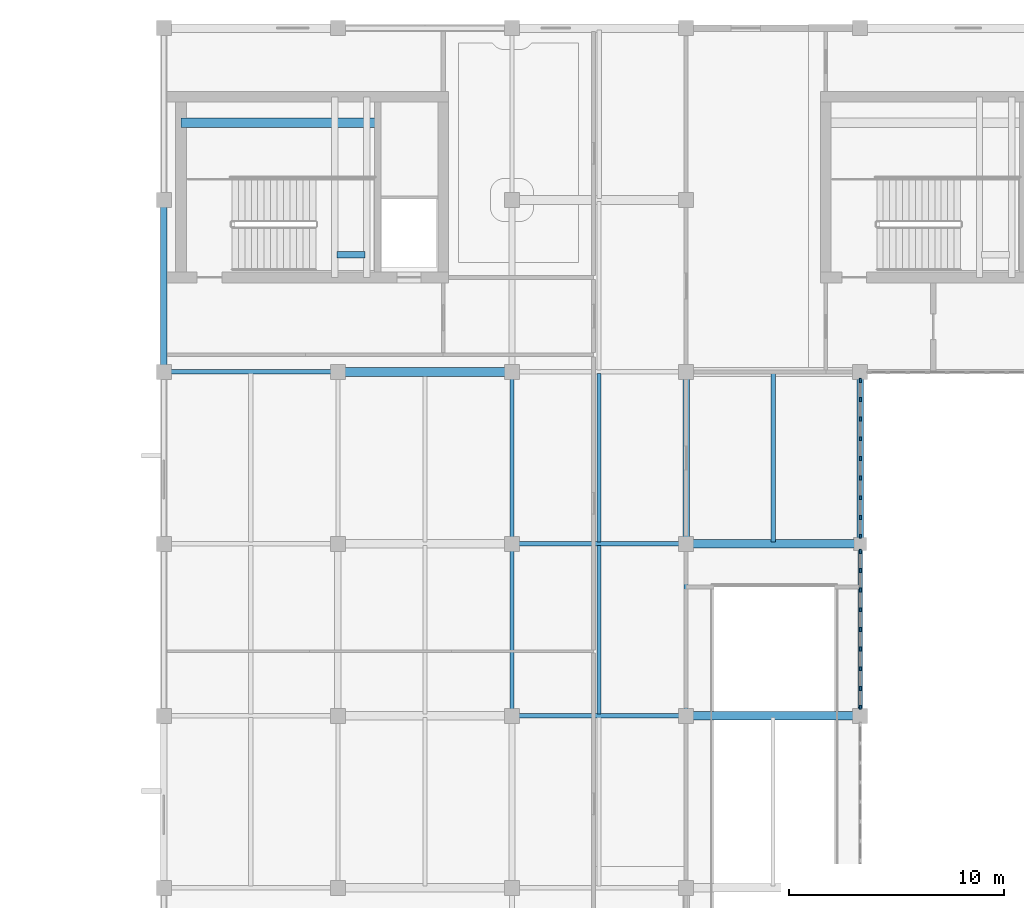
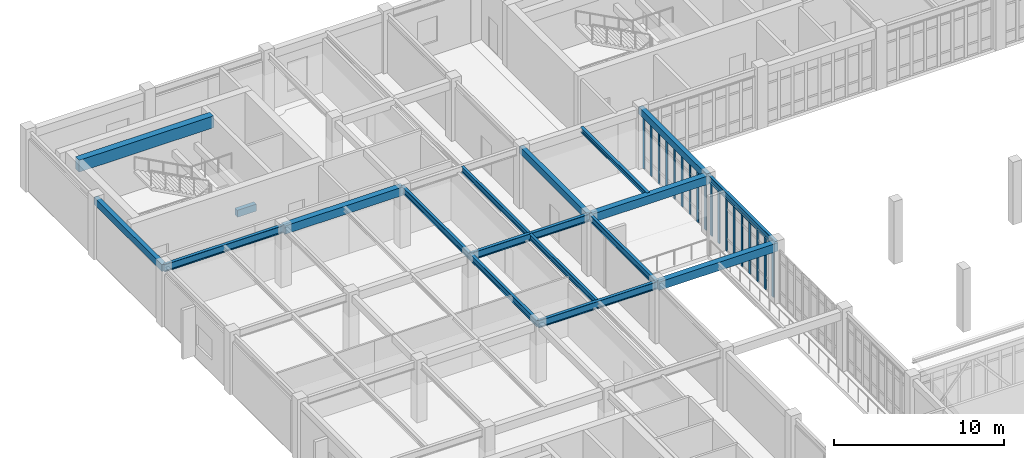
# One storey, part 12 of 67: 18 beams, 18 members, 2 elements without a shape of their own.
"""IFC4 building model written with IfcOpenShell, lengths in metres."""

from ifc_helpers import new_model, si_unit, direction, frame, origin, origin_2d, place, context, subcontext, project, spatial, rectangle, i_section, extrude, material, material_profile, profile_set, type_object, element, aggregate, save


model = new_model("IFC4")

# Units and contexts
model_context = context("Model", 3, precision=1e-05, world=origin(), true_north=direction((0.0, 1.0)))
body_context = subcontext(model_context, "Body", "Model", "MODEL_VIEW")
ifc_project = project(units=[si_unit("LENGTHUNIT", "METRE"), si_unit("AREAUNIT", "SQUARE_METRE"), si_unit("VOLUMEUNIT", "CUBIC_METRE"), si_unit("PLANEANGLEUNIT", "RADIAN"), si_unit("MASSUNIT", "GRAM", prefix="KILO")], contexts=[model_context])

# Site, building, storey
site_placement = place(None, origin())
site = spatial("IfcSite", under=ifc_project, at=site_placement, CompositionType="ELEMENT")
building_placement = place(site_placement, origin())
building = spatial("IfcBuilding", under=site, at=building_placement, Name="Tarnveldt Square Police Headquarters", CompositionType="ELEMENT")
storey_placement = place(building_placement, frame((0.0, 0.0, 10.199951171875)))
storey = spatial("IfcBuildingStorey", under=building, at=storey_placement, Name="L02", CompositionType="ELEMENT", Elevation=10.199951171875)

# Beams
ifc_material_1 = material(Name="Concrete 50 MPa", Category="concrete")
ifc_material_profile_1 = material_profile(ifc_material_1, rectangle(XDim=0.449951171875, YDim=0.85009765625, at=origin_2d()), Name="RC-CB450x850")
ifc_profile_set_1 = profile_set([ifc_material_profile_1], Name="Concrete 50 MPa")
beam_type_1 = type_object("IfcBeamType", Name="BM-CB450x850", PredefinedType="BEAM", material=ifc_profile_set_1)
beam_1_placement = place(storey_placement, frame((17.0, 107.60009765625, 4.074951171875), z_axis=(1.0, 0.0, 0.0), x_axis=(0.0, 1.0, 0.0)))
element("IfcBeam", 1, at=beam_1_placement, inside=storey, type_object=beam_type_1, Name="Core K2 North-West Operations Core L02 Ductile Coupling Beam", PredefinedType="BEAM", context=body_context, shape_type="SweptSolid", body=[
    extrude(rectangle(XDim=0.449951171875, YDim=0.85009765625, at=origin_2d()), origin(), (0.0, 0.0, 1.0), 9.14990234375),
])
ifc_material_2 = material(Name="Concrete 40 MPa", Category="concrete")
ifc_material_profile_2 = material_profile(ifc_material_2, rectangle(XDim=0.300048828125, YDim=0.5, at=origin_2d()), Name="RC-B300x500")
ifc_profile_set_2 = profile_set([ifc_material_profile_2], Name="Concrete 40 MPa")
beam_type_2 = type_object("IfcBeamType", Name="BM-RC300x500", PredefinedType="BEAM", material=ifc_profile_set_2)
beam_2_placement = place(storey_placement, frame((24.25, 101.449951171875, 1.800048828125), z_axis=(1.0, 0.0, 0.0), x_axis=(0.0, 1.0, 0.0)))
element("IfcBeam", 2, at=beam_2_placement, inside=storey, type_object=beam_type_2, Name="ST2 L02 Half-Landing Support Beam 2", PredefinedType="BEAM", context=body_context, shape_type="SweptSolid", body=[
    extrude(rectangle(XDim=0.300048828125, YDim=0.5, at=origin_2d()), origin(), (0.0, 0.0, 1.0), 1.300048828125),
])
for number, where, z_axis, x_axis, name in (
    (3, (16.199951171875, 96.0, 3.989990234375), (0.0, 1.0, 0.0), (-1.0, 0.0, 0.0), "L03 Grid Girder Y-0748"),
    (4, (40.5, 88.0, 3.989990234375), (0.0, 1.0, 0.0), (-1.0, 0.0, 0.0), "L03 Grid Girder Y-0772"),
    (5, (48.60009765625, 88.0, 3.989990234375), (0.0, 1.0, 0.0), (-1.0, 0.0, 0.0), "L03 Grid Girder Y-0781"),
):
    element("IfcBeam", number, at=place(storey_placement, frame(where, z_axis=z_axis, x_axis=x_axis)), inside=storey, type_object=beam_type_2, Name=name, PredefinedType="BEAM", context=body_context, shape_type="SweptSolid", body=[
        extrude(rectangle(XDim=0.300048828125, YDim=0.5, at=origin_2d()), origin(), (0.0, 0.0, 1.0), 8.0),
    ])
ifc_material_profile_3 = material_profile(ifc_material_2, rectangle(XDim=0.39990234375, YDim=0.60009765625, at=origin_2d()), Name="RC-B400x600")
ifc_profile_set_3 = profile_set([ifc_material_profile_3], Name="Concrete 40 MPa")
beam_type_3 = type_object("IfcBeamType", Name="BM-RC400x600", PredefinedType="BEAM", material=ifc_profile_set_3)
for number, where, z_axis, x_axis, name in (
    (6, (40.5, 80.0, 3.93994140625), (1.0, 0.0, 0.0), (0.0, 1.0, 0.0), "L03 Grid Girder X-0700"),
    (7, (40.5, 88.0, 3.93994140625), (1.0, 0.0, 0.0), (0.0, 1.0, 0.0), "L03 Grid Girder X-0706"),
):
    element("IfcBeam", number, at=place(storey_placement, frame(where, z_axis=z_axis, x_axis=x_axis)), inside=storey, type_object=beam_type_3, Name=name, PredefinedType="BEAM", context=body_context, shape_type="SweptSolid", body=[
        extrude(rectangle(XDim=0.39990234375, YDim=0.60009765625, at=origin_2d()), origin(), (0.0, 0.0, 1.0), 8.10009765625),
    ])
beam_3_placement = place(storey_placement, frame((24.300048828125, 96.0, 3.93994140625), z_axis=(1.0, 0.0, 0.0), x_axis=(0.0, 1.0, 0.0)))
element("IfcBeam", 8, at=beam_3_placement, inside=storey, type_object=beam_type_3, Name="L03 Grid Girder X-0710", PredefinedType="BEAM", context=body_context, shape_type="SweptSolid", body=[
    extrude(rectangle(XDim=0.39990234375, YDim=0.60009765625, at=origin_2d()), origin(), (0.0, 0.0, 1.0), 8.099853515625),
])
ifc_material_3 = material(Name="Steel 350W", Category="steel")
ifc_material_profile_4 = material_profile(ifc_material_3, i_section(OverallWidth=0.205078125, OverallDepth=0.35400390625, WebThickness=0.009521484375, FlangeThickness=0.016845703125, FilletRadius=0.01611328125, at=origin_2d()), Name="W360x79")
ifc_profile_set_4 = profile_set([ifc_material_profile_4], Name="Steel 350W")
beam_type_4 = type_object("IfcBeamType", Name="BM-W360x79", PredefinedType="JOIST", material=ifc_profile_set_4)
beam_4_placement = place(storey_placement, frame((44.550048828125, 88.080078125, 4.06298828125), z_axis=(0.0, 1.0, 0.0), x_axis=(-1.0, 0.0, 0.0)))
element("IfcBeam", 9, at=beam_4_placement, inside=storey, type_object=beam_type_4, Name="L03 Secondary Floor Joist 0166", PredefinedType="JOIST", context=body_context, shape_type="SweptSolid", body=[
    extrude(i_section(OverallWidth=0.205078125, OverallDepth=0.35400390625, WebThickness=0.009521484375, FlangeThickness=0.016845703125, FilletRadius=0.01611328125, at=origin_2d()), origin(), (0.0, 0.0, 1.0), 7.83984375),
])
ifc_material_profile_5 = material_profile(ifc_material_3, i_section(OverallWidth=0.177978515625, OverallDepth=0.406982421875, WebThickness=0.0078125, FlangeThickness=0.0126953125, FilletRadius=0.01611328125, at=origin_2d()), Name="W410x60")
ifc_profile_set_5 = profile_set([ifc_material_profile_5], Name="Steel 350W")
beam_type_5 = type_object("IfcBeamType", Name="BM-W410x60", PredefinedType="JOIST", material=ifc_profile_set_5)
for number, where, z_axis, x_axis, name in (
    (10, (36.449951171875, 80.080078125, 4.03662109375), (0.0, 1.0, 0.0), (-1.0, 0.0, 0.0), "L03 Secondary Floor Joist 0161"),
    (11, (36.449951171875, 88.080078125, 4.03662109375), (0.0, 1.0, 0.0), (-1.0, 0.0, 0.0), "L03 Secondary Floor Joist 0165"),
):
    element("IfcBeam", number, at=place(storey_placement, frame(where, z_axis=z_axis, x_axis=x_axis)), inside=storey, type_object=beam_type_5, Name=name, PredefinedType="JOIST", context=body_context, shape_type="SweptSolid", body=[
        extrude(i_section(OverallWidth=0.177978515625, OverallDepth=0.406982421875, WebThickness=0.0078125, FlangeThickness=0.0126953125, FilletRadius=0.01611328125, at=origin_2d()), origin(), (0.0, 0.0, 1.0), 7.83984375),
    ])
ifc_material_profile_6 = material_profile(ifc_material_3, i_section(OverallWidth=0.19189453125, OverallDepth=0.462890625, WebThickness=0.010498046875, FlangeThickness=0.017578125, FilletRadius=0.01806640625, at=origin_2d()), Name="W460x89")
ifc_profile_set_6 = profile_set([ifc_material_profile_6], Name="Steel 350W")
beam_type_6 = type_object("IfcBeamType", Name="BM-W460x89", PredefinedType="BEAM", material=ifc_profile_set_6)
for number, where, z_axis, x_axis, name in (
    (12, (32.39990234375, 80.0, 4.008544921875), (0.0, 1.0, 0.0), (-1.0, 0.0, 0.0), "L03 Grid Girder Y-0761"),
    (13, (32.39990234375, 88.0, 4.008544921875), (0.0, 1.0, 0.0), (-1.0, 0.0, 0.0), "L03 Grid Girder Y-0762"),
    (14, (40.5, 80.0, 4.008544921875), (0.0, 1.0, 0.0), (-1.0, 0.0, 0.0), "L03 Grid Girder Y-0771"),
    (15, (48.60009765625, 80.0, 4.008544921875), (0.0, 1.0, 0.0), (-1.0, 0.0, 0.0), "L03 Grid Girder Y-0780"),
):
    element("IfcBeam", number, at=place(storey_placement, frame(where, z_axis=z_axis, x_axis=x_axis)), inside=storey, type_object=beam_type_6, Name=name, PredefinedType="BEAM", context=body_context, shape_type="SweptSolid", body=[
        extrude(i_section(OverallWidth=0.19189453125, OverallDepth=0.462890625, WebThickness=0.010498046875, FlangeThickness=0.017578125, FilletRadius=0.01806640625, at=origin_2d()), origin(), (0.0, 0.0, 1.0), 8.0),
    ])
ifc_material_profile_7 = material_profile(ifc_material_3, i_section(OverallWidth=0.208984375, OverallDepth=0.532958984375, WebThickness=0.01025390625, FlangeThickness=0.015625, FilletRadius=0.01904296875, at=origin_2d()), Name="W530x92")
ifc_profile_set_7 = profile_set([ifc_material_profile_7], Name="Steel 350W")
beam_type_7 = type_object("IfcBeamType", Name="BM-W530x92", PredefinedType="BEAM", material=ifc_profile_set_7)
for number, where, z_axis, x_axis, name in (
    (16, (32.39990234375, 80.0, 3.9736328125), (1.0, 0.0, 0.0), (0.0, 1.0, 0.0), "L03 Grid Girder X-0699"),
    (17, (32.39990234375, 88.0, 3.9736328125), (1.0, 0.0, 0.0), (0.0, 1.0, 0.0), "L03 Grid Girder X-0705"),
    (18, (16.199951171875, 96.0, 3.9736328125), (1.0, 0.0, 0.0), (0.0, 1.0, 0.0), "L03 Grid Girder X-0709"),
):
    element("IfcBeam", number, at=place(storey_placement, frame(where, z_axis=z_axis, x_axis=x_axis)), inside=storey, type_object=beam_type_7, Name=name, PredefinedType="BEAM", context=body_context, shape_type="SweptSolid", body=[
        extrude(i_section(OverallWidth=0.208984375, OverallDepth=0.532958984375, WebThickness=0.01025390625, FlangeThickness=0.015625, FilletRadius=0.01904296875, at=origin_2d()), origin(), (0.0, 0.0, 1.0), 8.10009765625),
    ])

# Curtain wall, members
ifc_material_4 = material(Name="Triple-glazed low-e laminated vision glass", Category="glass")
curtain_wall_type_1 = type_object("IfcCurtainWallType", Name="CW-WG-732x377", PredefinedType="USERDEFINED", material=ifc_material_4)
curtain_wall_1_placement = place(storey_placement, origin())
curtain_wall_1 = element("IfcCurtainWall", 19, at=curtain_wall_1_placement, inside=storey, type_object=curtain_wall_type_1, Name="L02 Curtain Wall CW-L02-076", ObjectType="GLAZED CURTAIN WALL", PredefinedType="USERDEFINED")
ifc_material_5 = material(Name="Thermally broken anodised aluminium 6063-T6", Category="aluminium")
ifc_material_profile_8 = material_profile(ifc_material_5, rectangle(XDim=0.074951171875, YDim=0.199951171875, at=origin_2d()), Name="CW-M75x200")
ifc_profile_set_8 = profile_set([ifc_material_profile_8], Name="Thermally broken anodised aluminium 6063-T6")
member_type = type_object("IfcMemberType", Name="CWM-75x200", PredefinedType="MULLION", material=ifc_profile_set_8)
member_1_placement = place(storey_placement, frame((48.60009765625, 80.402587890625, 0.0), z_axis=(0.0, 0.0, 1.0), x_axis=(-1.0, 0.0, 0.0)))
member_1 = element("IfcMember", 20, at=member_1_placement, type_object=member_type, Name="CW-WG36 mullion 1", PredefinedType="MULLION", context=body_context, shape_type="SweptSolid", body=[
    extrude(rectangle(XDim=0.074951171875, YDim=0.199951171875, at=origin_2d()), origin(), (0.0, 0.0, 1.0), 3.76904296875),
])
member_2_placement = place(storey_placement, frame((48.60009765625, 81.280029296875, 0.0), z_axis=(0.0, 0.0, 1.0), x_axis=(-1.0, 0.0, 0.0)))
member_2 = element("IfcMember", 21, at=member_2_placement, type_object=member_type, Name="CW-WG36 mullion 2", PredefinedType="MULLION", context=body_context, shape_type="SweptSolid", body=[
    extrude(rectangle(XDim=0.074951171875, YDim=0.199951171875, at=origin_2d()), origin(), (0.0, 0.0, 1.0), 3.76904296875),
])
member_3_placement = place(storey_placement, frame((48.60009765625, 82.195068359375, 0.0), z_axis=(0.0, 0.0, 1.0), x_axis=(-1.0, 0.0, 0.0)))
member_3 = element("IfcMember", 22, at=member_3_placement, type_object=member_type, Name="CW-WG36 mullion 3", PredefinedType="MULLION", context=body_context, shape_type="SweptSolid", body=[
    extrude(rectangle(XDim=0.074951171875, YDim=0.199951171875, at=origin_2d()), origin(), (0.0, 0.0, 1.0), 3.76904296875),
])
member_4_placement = place(storey_placement, frame((48.60009765625, 83.110107421875, 0.0), z_axis=(0.0, 0.0, 1.0), x_axis=(-1.0, 0.0, 0.0)))
member_4 = element("IfcMember", 23, at=member_4_placement, type_object=member_type, Name="CW-WG36 mullion 4", PredefinedType="MULLION", context=body_context, shape_type="SweptSolid", body=[
    extrude(rectangle(XDim=0.074951171875, YDim=0.199951171875, at=origin_2d()), origin(), (0.0, 0.0, 1.0), 3.76904296875),
])
member_5_placement = place(storey_placement, frame((48.60009765625, 84.02490234375, 0.0), z_axis=(0.0, 0.0, 1.0), x_axis=(-1.0, 0.0, 0.0)))
member_5 = element("IfcMember", 24, at=member_5_placement, type_object=member_type, Name="CW-WG36 mullion 5", PredefinedType="MULLION", context=body_context, shape_type="SweptSolid", body=[
    extrude(rectangle(XDim=0.074951171875, YDim=0.199951171875, at=origin_2d()), origin(), (0.0, 0.0, 1.0), 3.76904296875),
])
member_6_placement = place(storey_placement, frame((48.60009765625, 84.93994140625, 0.0), z_axis=(0.0, 0.0, 1.0), x_axis=(-1.0, 0.0, 0.0)))
member_6 = element("IfcMember", 25, at=member_6_placement, type_object=member_type, Name="CW-WG36 mullion 6", PredefinedType="MULLION", context=body_context, shape_type="SweptSolid", body=[
    extrude(rectangle(XDim=0.074951171875, YDim=0.199951171875, at=origin_2d()), origin(), (0.0, 0.0, 1.0), 3.76904296875),
])
member_7_placement = place(storey_placement, frame((48.60009765625, 85.85498046875, 0.0), z_axis=(0.0, 0.0, 1.0), x_axis=(-1.0, 0.0, 0.0)))
member_7 = element("IfcMember", 26, at=member_7_placement, type_object=member_type, Name="CW-WG36 mullion 7", PredefinedType="MULLION", context=body_context, shape_type="SweptSolid", body=[
    extrude(rectangle(XDim=0.074951171875, YDim=0.199951171875, at=origin_2d()), origin(), (0.0, 0.0, 1.0), 3.76904296875),
])
member_8_placement = place(storey_placement, frame((48.60009765625, 86.77001953125, 0.0), z_axis=(0.0, 0.0, 1.0), x_axis=(-1.0, 0.0, 0.0)))
member_8 = element("IfcMember", 27, at=member_8_placement, type_object=member_type, Name="CW-WG36 mullion 8", PredefinedType="MULLION", context=body_context, shape_type="SweptSolid", body=[
    extrude(rectangle(XDim=0.074951171875, YDim=0.199951171875, at=origin_2d()), origin(), (0.0, 0.0, 1.0), 3.76904296875),
])
member_9_placement = place(storey_placement, frame((48.60009765625, 87.6474609375, 0.0), z_axis=(0.0, 0.0, 1.0), x_axis=(-1.0, 0.0, 0.0)))
member_9 = element("IfcMember", 28, at=member_9_placement, type_object=member_type, Name="CW-WG36 mullion 9", PredefinedType="MULLION", context=body_context, shape_type="SweptSolid", body=[
    extrude(rectangle(XDim=0.074951171875, YDim=0.199951171875, at=origin_2d()), origin(), (0.0, 0.0, 1.0), 3.76904296875),
])
aggregate(curtain_wall_1, [member_1, member_2, member_3, member_4, member_5, member_6, member_7, member_8, member_9])

curtain_wall_type_2 = type_object("IfcCurtainWallType", Name="CW-WG-732x373", PredefinedType="USERDEFINED", material=ifc_material_4)
curtain_wall_2_placement = place(storey_placement, origin())
curtain_wall_2 = element("IfcCurtainWall", 29, at=curtain_wall_2_placement, inside=storey, type_object=curtain_wall_type_2, Name="L02 Curtain Wall CW-L02-077", ObjectType="GLAZED CURTAIN WALL", PredefinedType="USERDEFINED")
member_10_placement = place(storey_placement, frame((48.60009765625, 88.3525390625, 0.0), z_axis=(0.0, 0.0, 1.0), x_axis=(-1.0, 0.0, 0.0)))
member_10 = element("IfcMember", 30, at=member_10_placement, type_object=member_type, Name="CW-WG37 mullion 1", PredefinedType="MULLION", context=body_context, shape_type="SweptSolid", body=[
    extrude(rectangle(XDim=0.074951171875, YDim=0.199951171875, at=origin_2d()), origin(), (0.0, 0.0, 1.0), 3.73193359375),
])
member_11_placement = place(storey_placement, frame((48.60009765625, 89.22998046875, 0.0), z_axis=(0.0, 0.0, 1.0), x_axis=(-1.0, 0.0, 0.0)))
member_11 = element("IfcMember", 31, at=member_11_placement, type_object=member_type, Name="CW-WG37 mullion 2", PredefinedType="MULLION", context=body_context, shape_type="SweptSolid", body=[
    extrude(rectangle(XDim=0.074951171875, YDim=0.199951171875, at=origin_2d()), origin(), (0.0, 0.0, 1.0), 3.73193359375),
])
member_12_placement = place(storey_placement, frame((48.60009765625, 90.14501953125, 0.0), z_axis=(0.0, 0.0, 1.0), x_axis=(-1.0, 0.0, 0.0)))
member_12 = element("IfcMember", 32, at=member_12_placement, type_object=member_type, Name="CW-WG37 mullion 3", PredefinedType="MULLION", context=body_context, shape_type="SweptSolid", body=[
    extrude(rectangle(XDim=0.074951171875, YDim=0.199951171875, at=origin_2d()), origin(), (0.0, 0.0, 1.0), 3.73193359375),
])
member_13_placement = place(storey_placement, frame((48.60009765625, 91.06005859375, 0.0), z_axis=(0.0, 0.0, 1.0), x_axis=(-1.0, 0.0, 0.0)))
member_13 = element("IfcMember", 33, at=member_13_placement, type_object=member_type, Name="CW-WG37 mullion 4", PredefinedType="MULLION", context=body_context, shape_type="SweptSolid", body=[
    extrude(rectangle(XDim=0.074951171875, YDim=0.199951171875, at=origin_2d()), origin(), (0.0, 0.0, 1.0), 3.73193359375),
])
member_14_placement = place(storey_placement, frame((48.60009765625, 91.97509765625, 0.0), z_axis=(0.0, 0.0, 1.0), x_axis=(-1.0, 0.0, 0.0)))
member_14 = element("IfcMember", 34, at=member_14_placement, type_object=member_type, Name="CW-WG37 mullion 5", PredefinedType="MULLION", context=body_context, shape_type="SweptSolid", body=[
    extrude(rectangle(XDim=0.074951171875, YDim=0.199951171875, at=origin_2d()), origin(), (0.0, 0.0, 1.0), 3.73193359375),
])
member_15_placement = place(storey_placement, frame((48.60009765625, 92.889892578125, 0.0), z_axis=(0.0, 0.0, 1.0), x_axis=(-1.0, 0.0, 0.0)))
member_15 = element("IfcMember", 35, at=member_15_placement, type_object=member_type, Name="CW-WG37 mullion 6", PredefinedType="MULLION", context=body_context, shape_type="SweptSolid", body=[
    extrude(rectangle(XDim=0.074951171875, YDim=0.199951171875, at=origin_2d()), origin(), (0.0, 0.0, 1.0), 3.73193359375),
])
member_16_placement = place(storey_placement, frame((48.60009765625, 93.804931640625, 0.0), z_axis=(0.0, 0.0, 1.0), x_axis=(-1.0, 0.0, 0.0)))
member_16 = element("IfcMember", 36, at=member_16_placement, type_object=member_type, Name="CW-WG37 mullion 7", PredefinedType="MULLION", context=body_context, shape_type="SweptSolid", body=[
    extrude(rectangle(XDim=0.074951171875, YDim=0.199951171875, at=origin_2d()), origin(), (0.0, 0.0, 1.0), 3.73193359375),
])
member_17_placement = place(storey_placement, frame((48.60009765625, 94.719970703125, 0.0), z_axis=(0.0, 0.0, 1.0), x_axis=(-1.0, 0.0, 0.0)))
member_17 = element("IfcMember", 37, at=member_17_placement, type_object=member_type, Name="CW-WG37 mullion 8", PredefinedType="MULLION", context=body_context, shape_type="SweptSolid", body=[
    extrude(rectangle(XDim=0.074951171875, YDim=0.199951171875, at=origin_2d()), origin(), (0.0, 0.0, 1.0), 3.73193359375),
])
member_18_placement = place(storey_placement, frame((48.60009765625, 95.597412109375, 0.0), z_axis=(0.0, 0.0, 1.0), x_axis=(-1.0, 0.0, 0.0)))
member_18 = element("IfcMember", 38, at=member_18_placement, type_object=member_type, Name="CW-WG37 mullion 9", PredefinedType="MULLION", context=body_context, shape_type="SweptSolid", body=[
    extrude(rectangle(XDim=0.074951171875, YDim=0.199951171875, at=origin_2d()), origin(), (0.0, 0.0, 1.0), 3.73193359375),
])
aggregate(curtain_wall_2, [member_10, member_11, member_12, member_13, member_14, member_15, member_16, member_17, member_18])

save(model, "model.ifc")
